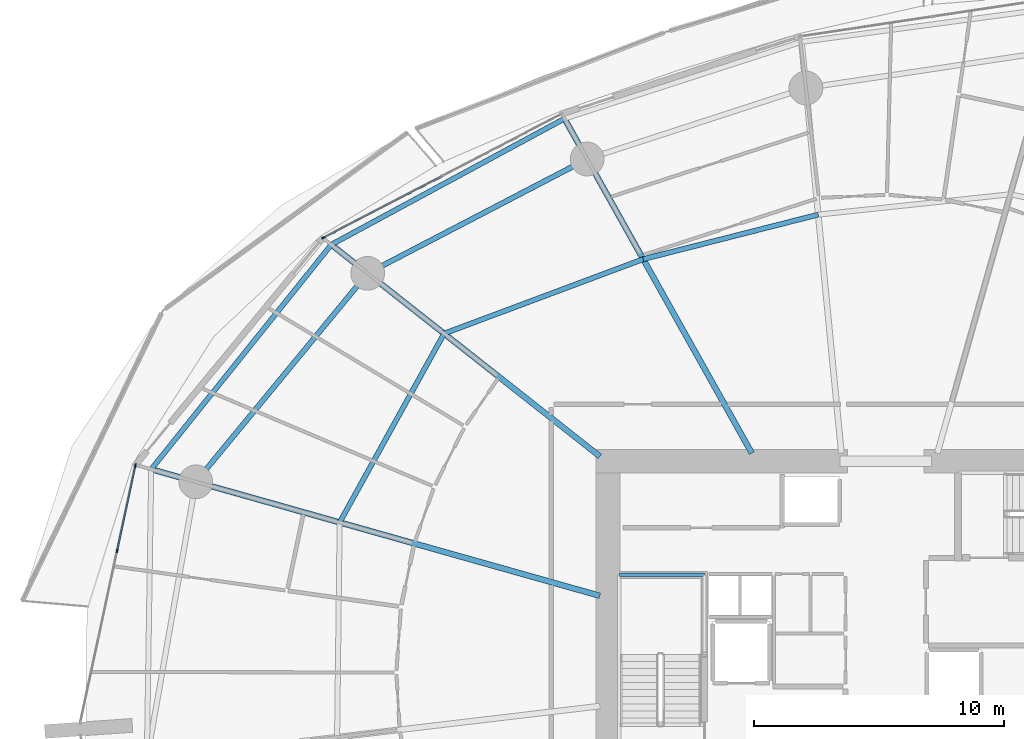
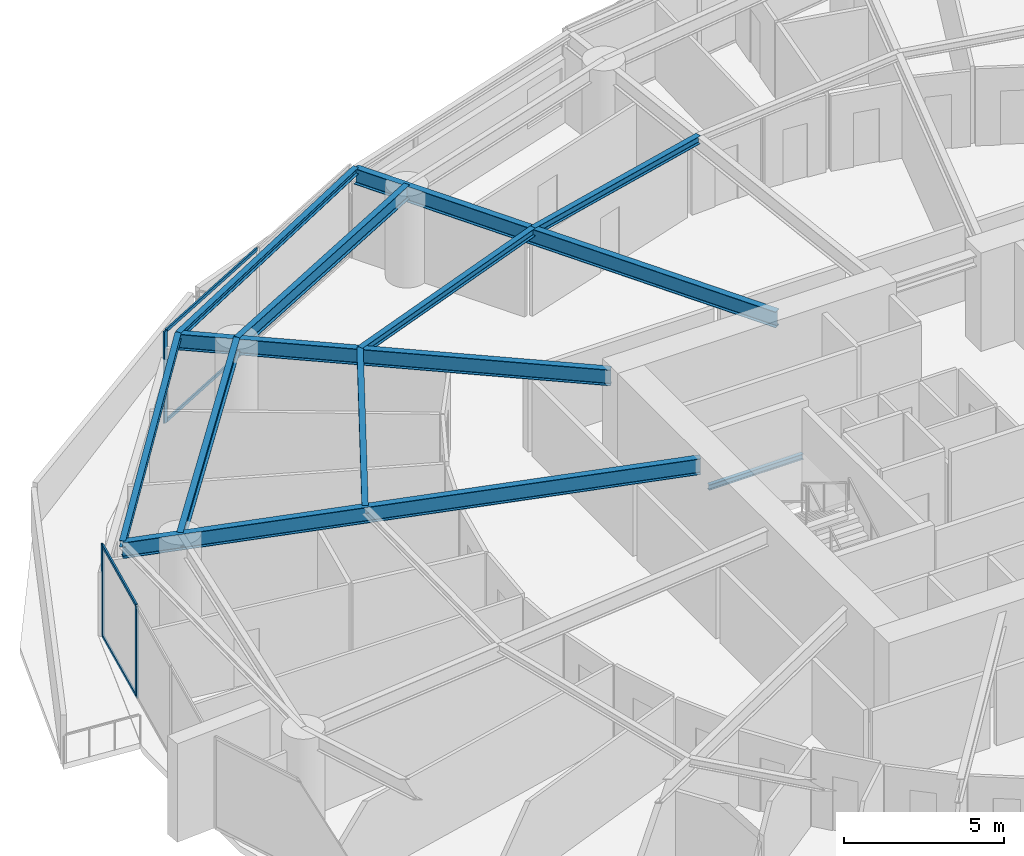
# One storey, part 12 of 31: 11 beams, 7 members, 2 elements without a shape of their own.
"""IFC4 building model written with IfcOpenShell, lengths in metres."""

from ifc_helpers import new_model, si_unit, direction, frame, origin, origin_2d, place, context, subcontext, project, spatial, rectangle, i_section, extrude, material, layer, layer_set, material_profile, profile_set, type_object, element, aggregate, save


model = new_model("IFC4")

# Units and contexts
model_context = context("Model", 3, precision=1e-05, world=origin(), true_north=direction((0.0, 1.0)))
body_context = subcontext(model_context, "Body", "Model", "MODEL_VIEW")
ifc_project = project(units=[si_unit("LENGTHUNIT", "METRE"), si_unit("AREAUNIT", "SQUARE_METRE"), si_unit("VOLUMEUNIT", "CUBIC_METRE"), si_unit("PLANEANGLEUNIT", "RADIAN"), si_unit("MASSUNIT", "GRAM", prefix="KILO")], contexts=[model_context])

# Site, building, storey
site_placement = place(None, origin())
site = spatial("IfcSite", under=ifc_project, at=site_placement, CompositionType="ELEMENT")
building_placement = place(site_placement, origin())
building = spatial("IfcBuilding", under=site, at=building_placement, Name="Kazma Halo Residences", CompositionType="ELEMENT")
storey_placement = place(building_placement, frame((0.0, 0.0, 41.39990234375)))
storey = spatial("IfcBuildingStorey", under=building, at=storey_placement, Name="L09", CompositionType="ELEMENT", Elevation=41.39990234375)

# Beams
ifc_material_1 = material(Name="Steel S355", Category="steel")
ifc_material_profile_1 = material_profile(ifc_material_1, i_section(OverallWidth=0.201904296875, OverallDepth=0.2470703125, WebThickness=0.00732421875, FlangeThickness=0.010986328125, FilletRadius=0.011962890625, at=origin_2d()), Name="W250x49.1")
ifc_profile_set_1 = profile_set([ifc_material_profile_1], Name="Steel S355")
beam_type_1 = type_object("IfcBeamType", Name="BM-BAL-CANT", PredefinedType="BEAM", material=ifc_profile_set_1)
beam_1_placement = place(storey_placement, frame((35.587646484375, 64.163818359375, 3.376708984375), z_axis=(-0.879759421466, -0.47541914175, 0.0), x_axis=(0.47541914175, -0.879759421466, 0.0)))
element("IfcBeam", 1, at=beam_1_placement, inside=storey, type_object=beam_type_1, Name="L09 wave-balcony tie beam 05", PredefinedType="BEAM", context=body_context, shape_type="SweptSolid", body=[
    extrude(i_section(OverallWidth=0.201904296875, OverallDepth=0.2470703125, WebThickness=0.00732421875, FlangeThickness=0.010986328125, FilletRadius=0.011962890625, at=origin_2d()), origin(), (0.0, 0.0, 1.0), 10.58935546875),
])
beam_2_placement = place(storey_placement, frame((26.271484375, 59.12939453125, 3.376708984375), z_axis=(-0.625476617708, -0.780242911343, 0.0), x_axis=(0.780242911343, -0.625476617708, 0.0)))
element("IfcBeam", 2, at=beam_2_placement, inside=storey, type_object=beam_type_1, Name="L09 wave-balcony tie beam 06", PredefinedType="BEAM", context=body_context, shape_type="SweptSolid", body=[
    extrude(i_section(OverallWidth=0.201904296875, OverallDepth=0.2470703125, WebThickness=0.00732421875, FlangeThickness=0.010986328125, FilletRadius=0.011962890625, at=origin_2d()), origin(), (0.0, 0.0, 1.0), 11.499755859375),
])
ifc_material_profile_2 = material_profile(ifc_material_1, i_section(OverallWidth=0.22802734375, OverallDepth=0.60791015625, WebThickness=0.01123046875, FlangeThickness=0.017333984375, FilletRadius=0.01806640625, at=origin_2d()), Name="W610x113")
ifc_profile_set_2 = profile_set([ifc_material_profile_2], Name="Steel S355")
beam_type_2 = type_object("IfcBeamType", Name="BM-RAD-W610", PredefinedType="BEAM", material=ifc_profile_set_2)
beam_3_placement = place(storey_placement, frame((43.07177734375, 50.800048828125, 3.196044921875), z_axis=(-0.488624239587, 0.872494328055, 0.0), x_axis=(-0.872494328055, -0.488624239587, 0.0)))
element("IfcBeam", 3, at=beam_3_placement, inside=storey, type_object=beam_type_2, Name="L09 radial floor beam 05", PredefinedType="BEAM", context=body_context, shape_type="SweptSolid", body=[
    extrude(i_section(OverallWidth=0.22802734375, OverallDepth=0.60791015625, WebThickness=0.01123046875, FlangeThickness=0.017333984375, FilletRadius=0.01806640625, at=origin_2d()), origin(), (0.0, 0.0, 1.0), 15.316650390625),
])
beam_4_placement = place(storey_placement, frame((37.0, 50.671630859375, 3.196044921875), z_axis=(-0.78531394447, 0.619097737536, 0.0), x_axis=(-0.619097737536, -0.78531394447, 0.0)))
element("IfcBeam", 4, at=beam_4_placement, inside=storey, type_object=beam_type_2, Name="L09 radial floor beam 06", PredefinedType="BEAM", context=body_context, shape_type="SweptSolid", body=[
    extrude(i_section(OverallWidth=0.22802734375, OverallDepth=0.60791015625, WebThickness=0.01123046875, FlangeThickness=0.017333984375, FilletRadius=0.01806640625, at=origin_2d()), origin(), (0.0, 0.0, 1.0), 13.661376953125),
])
beam_5_placement = place(storey_placement, frame((37.0, 45.102294921875, 3.196044921875), z_axis=(-0.962453979784, 0.271444905641, 0.0), x_axis=(-0.271444905641, -0.962453979784, 0.0)))
element("IfcBeam", 5, at=beam_5_placement, inside=storey, type_object=beam_type_2, Name="L09 radial floor beam 07", PredefinedType="BEAM", context=body_context, shape_type="SweptSolid", body=[
    extrude(i_section(OverallWidth=0.22802734375, OverallDepth=0.60791015625, WebThickness=0.01123046875, FlangeThickness=0.017333984375, FilletRadius=0.01806640625, at=origin_2d()), origin(), (0.0, 0.0, 1.0), 18.62060546875),
])
ifc_material_profile_3 = material_profile(ifc_material_1, i_section(OverallWidth=0.202880859375, OverallDepth=0.302978515625, WebThickness=0.007568359375, FlangeThickness=0.01318359375, FilletRadius=0.013916015625, at=origin_2d()), Name="W310x60")
ifc_profile_set_3 = profile_set([ifc_material_profile_3], Name="Steel S355")
beam_type_3 = type_object("IfcBeamType", Name="BM-SEC-W310A", PredefinedType="JOIST", material=ifc_profile_set_3)
beam_6_placement = place(storey_placement, frame((45.7236328125, 60.329833984375, 3.3486328125), z_axis=(-0.969127021388, -0.246561993047, 0.0), x_axis=(0.246561993047, -0.969127021388, 0.0)))
element("IfcBeam", 6, at=beam_6_placement, inside=storey, type_object=beam_type_3, Name="L09 circumferential floor joist 04", PredefinedType="JOIST", context=body_context, shape_type="SweptSolid", body=[
    extrude(i_section(OverallWidth=0.202880859375, OverallDepth=0.302978515625, WebThickness=0.007568359375, FlangeThickness=0.01318359375, FilletRadius=0.013916015625, at=origin_2d()), origin(), (0.0, 0.0, 1.0), 7.21533203125),
])
beam_7_placement = place(storey_placement, frame((38.73095703125, 58.55078125, 3.3486328125), z_axis=(-0.936676104069, -0.350196910417, 0.0), x_axis=(0.350196910417, -0.936676104069, 0.0)))
element("IfcBeam", 7, at=beam_7_placement, inside=storey, type_object=beam_type_3, Name="L09 circumferential floor joist 05", PredefinedType="JOIST", context=body_context, shape_type="SweptSolid", body=[
    extrude(i_section(OverallWidth=0.202880859375, OverallDepth=0.302978515625, WebThickness=0.007568359375, FlangeThickness=0.01318359375, FilletRadius=0.013916015625, at=origin_2d()), origin(), (0.0, 0.0, 1.0), 8.4912109375),
])
beam_8_placement = place(storey_placement, frame((30.77734375, 55.5771484375, 3.3486328125), z_axis=(-0.483953872195, -0.875093509054, 0.0), x_axis=(0.875093509054, -0.483953872195, 0.0)))
element("IfcBeam", 8, at=beam_8_placement, inside=storey, type_object=beam_type_3, Name="L09 circumferential floor joist 06", PredefinedType="JOIST", context=body_context, shape_type="SweptSolid", body=[
    extrude(i_section(OverallWidth=0.202880859375, OverallDepth=0.302978515625, WebThickness=0.007568359375, FlangeThickness=0.01318359375, FilletRadius=0.013916015625, at=origin_2d()), origin(), (0.0, 0.0, 1.0), 8.619873046875),
])
ifc_material_profile_4 = material_profile(ifc_material_1, i_section(OverallWidth=0.208984375, OverallDepth=0.532958984375, WebThickness=0.01025390625, FlangeThickness=0.015625, FilletRadius=0.01611328125, at=origin_2d()), Name="W530x92")
ifc_profile_set_4 = profile_set([ifc_material_profile_4], Name="Steel S355")
beam_type_4 = type_object("IfcBeamType", Name="BM-SPN-W530", PredefinedType="BEAM", material=ifc_profile_set_4)
beam_9_placement = place(storey_placement, frame((36.49169921875, 62.549560546875, 3.233642578125), z_axis=(-0.886956241699, -0.461853467358, 0.0), x_axis=(0.461853467358, -0.886956241699, 0.0)))
element("IfcBeam", 9, at=beam_9_placement, inside=storey, type_object=beam_type_4, Name="L09 perimeter ring beam 05", PredefinedType="BEAM", context=body_context, shape_type="SweptSolid", body=[
    extrude(i_section(OverallWidth=0.208984375, OverallDepth=0.532958984375, WebThickness=0.01025390625, FlangeThickness=0.015625, FilletRadius=0.01611328125, at=origin_2d()), origin(), (0.0, 0.0, 1.0), 9.885009765625),
])
beam_10_placement = place(storey_placement, frame((27.72412109375, 57.984130859375, 3.233642578125), z_axis=(-0.636001336663, -0.771687954916, 0.0), x_axis=(0.771687954916, -0.636001336663, 0.0)))
element("IfcBeam", 10, at=beam_10_placement, inside=storey, type_object=beam_type_4, Name="L09 perimeter ring beam 06", PredefinedType="BEAM", context=body_context, shape_type="SweptSolid", body=[
    extrude(i_section(OverallWidth=0.208984375, OverallDepth=0.532958984375, WebThickness=0.01025390625, FlangeThickness=0.015625, FilletRadius=0.01611328125, at=origin_2d()), origin(), (0.0, 0.0, 1.0), 10.7939453125),
])
ifc_material_profile_5 = material_profile(ifc_material_1, i_section(OverallWidth=0.133056640625, OverallDepth=0.20703125, WebThickness=0.005859375, FlangeThickness=0.00830078125, FilletRadius=0.010009765625, at=origin_2d()), Name="W200x26.6")
ifc_profile_set_5 = profile_set([ifc_material_profile_5], Name="Steel S355")
beam_type_5 = type_object("IfcBeamType", Name="BM-TRIM-W200", PredefinedType="BEAM", material=ifc_profile_set_5)
beam_11_placement = place(storey_placement, frame((37.780029296875, 45.93994140625, 1.570068359375), z_axis=(1.0, 0.0, 0.0), x_axis=(0.0, 1.0, 0.0)))
element("IfcBeam", 11, at=beam_11_placement, inside=storey, type_object=beam_type_5, Name="L09 ST-01 landing end wall ledger", PredefinedType="BEAM", context=body_context, shape_type="SweptSolid", body=[
    extrude(i_section(OverallWidth=0.133056640625, OverallDepth=0.20703125, WebThickness=0.005859375, FlangeThickness=0.00830078125, FilletRadius=0.010009765625, at=origin_2d()), origin(), (0.0, 0.0, 1.0), 3.39990234375),
])

# Curtain wall, member
ifc_material_2 = material(Name="Aluminium AW-6063 T6 and Triple-Silver Low-E Glass", Category="aluminium")
ifc_layer = layer(ifc_material_2, 0.159912109375)
ifc_layer_set = layer_set([ifc_layer], Name="Aluminium AW-6063 T6 and Triple-Silver Low-E Glass")
curtain_wall_type = type_object("IfcCurtainWallType", Name="CW-SYS-2", PredefinedType="NOTDEFINED", material=ifc_layer_set)
curtain_wall_1_placement = place(storey_placement, origin())
curtain_wall_1 = element("IfcCurtainWall", 12, at=curtain_wall_1_placement, inside=storey, type_object=curtain_wall_type, Name="L09 unitised curtain wall B05", PredefinedType="NOTDEFINED")
ifc_material_3 = material(Name="Aluminium AW-6063 T6", Category="aluminium")
ifc_material_profile_6 = material_profile(ifc_material_3, rectangle(XDim=0.06005859375, YDim=0.159912109375, at=origin_2d()), Name="CWM-60x160")
ifc_profile_set_6 = profile_set([ifc_material_profile_6], Name="Aluminium AW-6063 T6")
member_type_1 = type_object("IfcMemberType", Name="CW-SYS-2-MUL", PredefinedType="MULLION", material=ifc_profile_set_6)
member_1_placement = place(storey_placement, frame((25.96142578125, 59.408447265625, 0.0), z_axis=(0.0, 0.0, 1.0), x_axis=(0.460995912628, -0.887402258584, 0.0)))
member_1 = element("IfcMember", 13, at=member_1_placement, type_object=member_type_1, Name="CWS-2 mullion 3", PredefinedType="MULLION", context=body_context, shape_type="SweptSolid", body=[
    extrude(rectangle(XDim=0.06005859375, YDim=0.159912109375, at=origin_2d()), origin(), (0.0, 0.0, 1.0), 3.5),
])

# Curtain wall, members
curtain_wall_2_placement = place(storey_placement, origin())
curtain_wall_2 = element("IfcCurtainWall", 14, at=curtain_wall_2_placement, inside=storey, type_object=curtain_wall_type, Name="L09 unitised curtain wall B07", PredefinedType="NOTDEFINED")
member_2_placement = place(storey_placement, frame((18.447021484375, 50.3037109375, 0.0), z_axis=(0.0, 0.0, 1.0), x_axis=(0.977779215096, -0.209637321406, 0.0)))
member_2 = element("IfcMember", 15, at=member_2_placement, type_object=member_type_1, Name="CWS-2 mullion 1", PredefinedType="MULLION", context=body_context, shape_type="SweptSolid", body=[
    extrude(rectangle(XDim=0.06005859375, YDim=0.159912109375, at=origin_2d()), origin(), (0.0, 0.0, 1.0), 3.5),
])
member_3_placement = place(storey_placement, frame((17.717041015625, 46.898681640625, 0.0), z_axis=(0.0, 0.0, 1.0), x_axis=(0.977779215096, -0.209637321406, 0.0)))
member_3 = element("IfcMember", 16, at=member_3_placement, type_object=member_type_1, Name="CWS-2 mullion 2", PredefinedType="MULLION", context=body_context, shape_type="SweptSolid", body=[
    extrude(rectangle(XDim=0.06005859375, YDim=0.159912109375, at=origin_2d()), origin(), (0.0, 0.0, 1.0), 3.5),
])

# Member
ifc_material_profile_7 = material_profile(ifc_material_3, rectangle(XDim=0.06005859375, YDim=0.1201171875, at=origin_2d()), Name="CWT-60x120")
ifc_profile_set_7 = profile_set([ifc_material_profile_7], Name="Aluminium AW-6063 T6")
member_type_2 = type_object("IfcMemberType", Name="CW-SYS-2-TRN", PredefinedType="USERDEFINED", material=ifc_profile_set_7)
member_4_placement = place(storey_placement, frame((30.681396484375, 61.8603515625, 0.030029296875), z_axis=(-0.887414738583, -0.460971888238, 0.0), x_axis=(0.460971888238, -0.887414738583, 0.0)))
member_4 = element("IfcMember", 17, at=member_4_placement, type_object=member_type_2, Name="CWS-2 transom 2.1", ObjectType="TRANSOM", PredefinedType="USERDEFINED", context=body_context, shape_type="SweptSolid", body=[
    extrude(rectangle(XDim=0.06005859375, YDim=0.1201171875, at=origin_2d()), origin(), (0.0, 0.0, 1.0), 5.288818359375),
])

member_5_placement = place(storey_placement, frame((30.681396484375, 61.8603515625, 3.47021484375), z_axis=(-0.887414738583, -0.460971888238, 0.0), x_axis=(0.460971888238, -0.887414738583, 0.0)))
member_5 = element("IfcMember", 18, at=member_5_placement, type_object=member_type_2, Name="CWS-2 transom 2.2", ObjectType="TRANSOM", PredefinedType="USERDEFINED", context=body_context, shape_type="SweptSolid", body=[
    extrude(rectangle(XDim=0.06005859375, YDim=0.1201171875, at=origin_2d()), origin(), (0.0, 0.0, 1.0), 5.288818359375),
])

aggregate(curtain_wall_1, [member_1, member_4, member_5])

member_6_placement = place(storey_placement, frame((18.440673828125, 50.2744140625, 0.030029296875), z_axis=(-0.209650877007, -0.977776308657, 0.0), x_axis=(0.977776308657, -0.209650877007, 0.0)))
member_6 = element("IfcMember", 19, at=member_6_placement, type_object=member_type_2, Name="CWS-2 transom 1.1", ObjectType="TRANSOM", PredefinedType="USERDEFINED", context=body_context, shape_type="SweptSolid", body=[
    extrude(rectangle(XDim=0.06005859375, YDim=0.1201171875, at=origin_2d()), origin(), (0.0, 0.0, 1.0), 3.422607421875),
])

member_7_placement = place(storey_placement, frame((18.440673828125, 50.2744140625, 3.47021484375), z_axis=(-0.209650877007, -0.977776308657, 0.0), x_axis=(0.977776308657, -0.209650877007, 0.0)))
member_7 = element("IfcMember", 20, at=member_7_placement, type_object=member_type_2, Name="CWS-2 transom 1.2", ObjectType="TRANSOM", PredefinedType="USERDEFINED", context=body_context, shape_type="SweptSolid", body=[
    extrude(rectangle(XDim=0.06005859375, YDim=0.1201171875, at=origin_2d()), origin(), (0.0, 0.0, 1.0), 3.422607421875),
])

aggregate(curtain_wall_2, [member_2, member_3, member_6, member_7])

save(model, "model.ifc")
